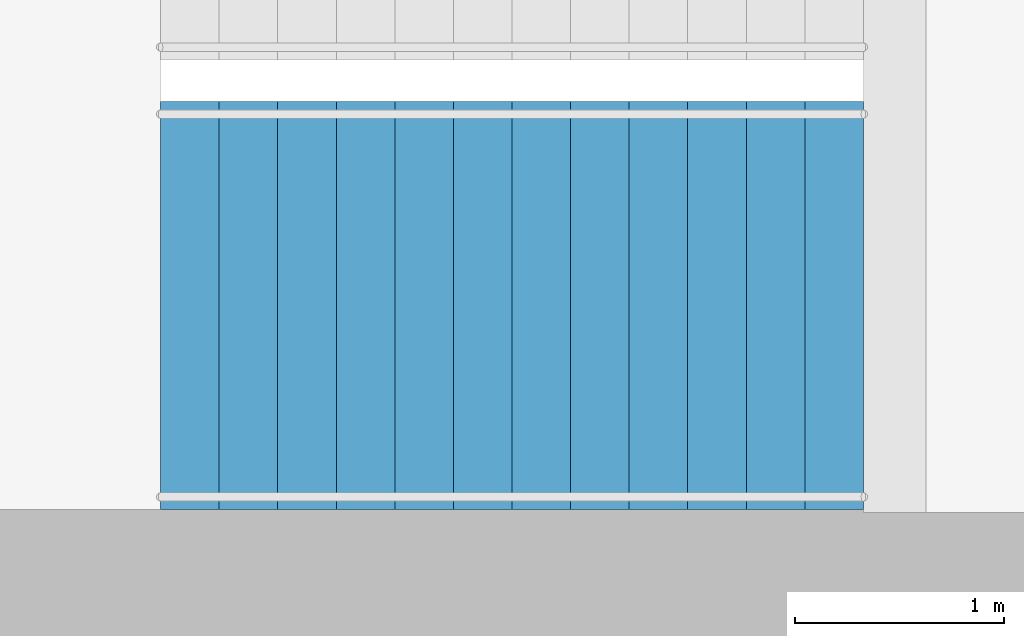
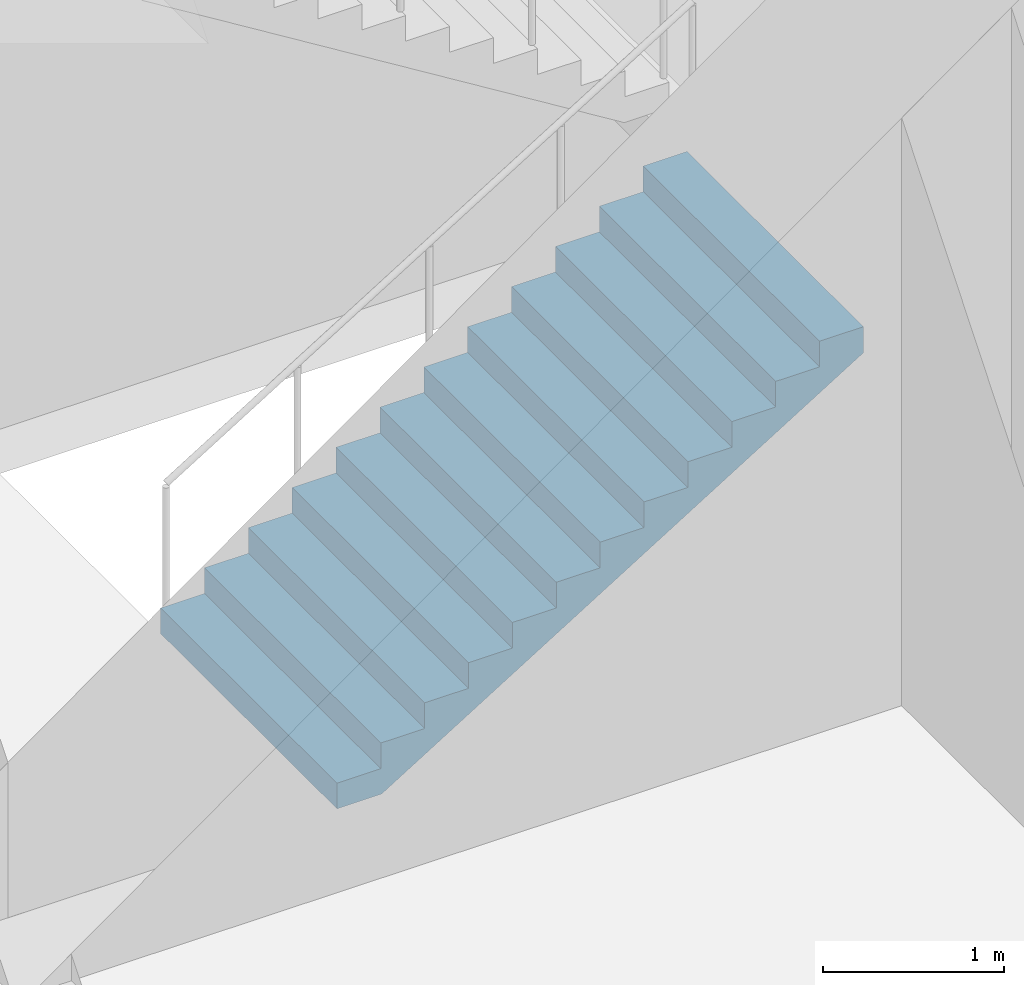
# One storey, part 17 of 21: 1 stair flight, 1 element without a shape of its own.
"""IFC4 building model written with IfcOpenShell, lengths in metres."""

from ifc_helpers import new_model, si_unit, direction, frame, origin, place, context, subcontext, project, spatial, triangles, material, type_object, element, aggregate, save


model = new_model("IFC4")

# Units and contexts
model_context = context("Model", 3, precision=1e-05, world=origin(), true_north=direction((0.0, 1.0)))
body_context = subcontext(model_context, "Body", "Model", "MODEL_VIEW")
ifc_project = project(units=[si_unit("LENGTHUNIT", "METRE"), si_unit("AREAUNIT", "SQUARE_METRE"), si_unit("VOLUMEUNIT", "CUBIC_METRE"), si_unit("PLANEANGLEUNIT", "RADIAN"), si_unit("MASSUNIT", "GRAM", prefix="KILO")], contexts=[model_context])

# Site, building, storey
site_placement = place(None, origin())
site = spatial("IfcSite", under=ifc_project, at=site_placement, CompositionType="ELEMENT")
building_placement = place(site_placement, origin())
building = spatial("IfcBuilding", under=site, at=building_placement, Name="Orbita Commons", CompositionType="ELEMENT")
storey_placement = place(building_placement, frame((0.0, 0.0, 257.800048828125)))
storey = spatial("IfcBuildingStorey", under=building, at=storey_placement, Name="L64", CompositionType="ELEMENT", Elevation=257.800048828125)

# Stair, stair flight
ifc_material_1 = material(Name="Precast concrete C40/50", Category="concrete")
stair_type = type_object("IfcStairType", Name="Exit stair S1 2 flights 13 risers 173", PredefinedType="HALF_TURN_STAIR", material=ifc_material_1)
stair_placement = place(storey_placement, origin())
stair = element("IfcStair", 1, at=stair_placement, inside=storey, type_object=stair_type, Name="Exit stair S1 L64", PredefinedType="HALF_TURN_STAIR")
ifc_material_2 = material(Name="Precast concrete C40/50", Category="concrete")
stair_flight_type = type_object("IfcStairFlightType", Name="Stair flight 13 risers 173 x 280", PredefinedType="STRAIGHT", material=ifc_material_2)
stair_flight_placement = place(storey_placement, frame((20.449951171875, 27.125, 0.0), z_axis=(0.0, 0.0, 1.0), x_axis=(1.0, 0.0, 0.0)))
stair_flight = element("IfcStairFlight", 2, at=stair_flight_placement, type_object=stair_flight_type, Name="S1 flight 1", NumberOfRisers=13, NumberOfTreads=12, PredefinedType="STRAIGHT", RiserHeight=0.173076923, TreadLength=0.28, context=body_context, shape_type="Tessellation", body=[
    triangles([(0.0, 0.974976, 0.0), (0.0, 0.974976, 0.021635), (0.0, 0.81248, 0.021635), (0.0, 0.81248, 0.0), (0.0, 0.649984, 0.021635), (0.0, 0.649984, 0.0), (0.0, 0.487488, 0.021635), (0.0, 0.487488, 0.0), (0.0, 0.324992, 0.021635), (0.0, 0.324992, 0.0), (0.0, 0.162496, 0.021635), (0.0, 0.162496, 0.0), (0.0, 0.0, 0.021635), (0.0, 0.0, 0.0), (0.0, -0.162496, 0.021635), (0.0, -0.162496, 0.0), (0.0, -0.324992, 0.021635), (0.0, -0.324992, 0.0), (0.0, -0.487488, 0.021635), (0.0, -0.487488, 0.0), (0.0, -0.649984, 0.021635), (0.0, -0.649984, 0.0), (0.0, -0.81248, 0.021635), (0.0, -0.81248, 0.0), (0.0, -0.974976, 0.021635), (0.0, -0.974976, 0.0), (0.0, 0.974976, 0.043269), (0.0, 0.81248, 0.043269), (0.0, 0.649984, 0.043269), (0.0, 0.487488, 0.043269), (0.0, 0.324992, 0.043269), (0.0, 0.162496, 0.043269), (0.0, 0.0, 0.043269), (0.0, -0.162496, 0.043269), (0.0, -0.324992, 0.043269), (0.0, -0.487488, 0.043269), (0.0, -0.649984, 0.043269), (0.0, -0.81248, 0.043269), (0.0, -0.974976, 0.043269), (0.0, 0.974976, 0.064904), (0.0, 0.81248, 0.064904), (0.0, 0.649984, 0.064904), (0.0, 0.487488, 0.064904), (0.0, 0.324992, 0.064904), (0.0, 0.162496, 0.064904), (0.0, 0.0, 0.064904), (0.0, -0.162496, 0.064904), (0.0, -0.324992, 0.064904), (0.0, -0.487488, 0.064904), (0.0, -0.649984, 0.064904), (0.0, -0.81248, 0.064904), (0.0, -0.974976, 0.064904), (0.0, 0.974976, 0.086538), (0.0, 0.81248, 0.086538), (0.0, 0.649984, 0.086538), (0.0, 0.487488, 0.086538), (0.0, 0.324992, 0.086538), (0.0, 0.162496, 0.086538), (0.0, 0.0, 0.086538), (0.0, -0.162496, 0.086538), (0.0, -0.324992, 0.086538), (0.0, -0.487488, 0.086538), (0.0, -0.649984, 0.086538), (0.0, -0.81248, 0.086538), (0.0, -0.974976, 0.086538), (0.0, 0.974976, 0.108173), (0.0, 0.81248, 0.108173), (0.0, 0.649984, 0.108173), (0.0, 0.487488, 0.108173), (0.0, 0.324992, 0.108173), (0.0, 0.162496, 0.108173), (0.0, 0.0, 0.108173), (0.0, -0.162496, 0.108173), (0.0, -0.324992, 0.108173), (0.0, -0.487488, 0.108173), (0.0, -0.649984, 0.108173), (0.0, -0.81248, 0.108173), (0.0, -0.974976, 0.108173), (0.0, 0.974976, 0.129808), (0.0, 0.81248, 0.129808), (0.0, 0.649984, 0.129808), (0.0, 0.487488, 0.129808), (0.0, 0.324992, 0.129808), (0.0, 0.162496, 0.129808), (0.0, 0.0, 0.129808), (0.0, -0.162496, 0.129808), (0.0, -0.324992, 0.129808), (0.0, -0.487488, 0.129808), (0.0, -0.649984, 0.129808), (0.0, -0.81248, 0.129808), (0.0, -0.974976, 0.129808), (0.0, 0.974976, 0.151442), (0.0, 0.81248, 0.151442), (0.0, 0.649984, 0.151442), (0.0, 0.487488, 0.151442), (0.0, 0.324992, 0.151442), (0.0, 0.162496, 0.151442), (0.0, 0.0, 0.151442), (0.0, -0.162496, 0.151442), (0.0, -0.324992, 0.151442), (0.0, -0.487488, 0.151442), (0.0, -0.649984, 0.151442), (0.0, -0.81248, 0.151442), (0.0, -0.974976, 0.151442), (0.0, 0.974976, 0.173077), (0.0, 0.81248, 0.173077), (0.0, 0.649984, 0.173077), (0.0, 0.487488, 0.173077), (0.0, 0.324992, 0.173077), (0.0, 0.162496, 0.173077), (0.0, 0.0, 0.173077), (0.0, -0.162496, 0.173077), (0.0, -0.324992, 0.173077), (0.0, -0.487488, 0.173077), (0.0, -0.649984, 0.173077), (0.0, -0.81248, 0.173077), (0.0, -0.974976, 0.173077), (0.28, 0.974976, 0.173077), (0.28, 0.81248, 0.173077), (0.28, 0.649984, 0.173077), (0.28, 0.487488, 0.173077), (0.28, 0.324992, 0.173077), (0.28, 0.162496, 0.173077), (0.28, 0.0, 0.173077), (0.28, -0.162496, 0.173077), (0.28, -0.324992, 0.173077), (0.28, -0.487488, 0.173077), (0.28, -0.649984, 0.173077), (0.28, -0.81248, 0.173077), (0.28, -0.974976, 0.173077), (0.28, 0.974976, 0.346154), (0.28, 0.81248, 0.346154), (0.28, 0.649984, 0.346154), (0.28, 0.487488, 0.346154), (0.28, 0.324992, 0.346154), (0.28, 0.162496, 0.346154), (0.28, 0.0, 0.346154), (0.28, -0.162496, 0.346154), (0.28, -0.324992, 0.346154), (0.28, -0.487488, 0.346154), (0.28, -0.649984, 0.346154), (0.28, -0.81248, 0.346154), (0.28, -0.974976, 0.346154), (0.56, 0.974976, 0.346154), (0.56, 0.81248, 0.346154), (0.56, 0.649984, 0.346154), (0.56, 0.487488, 0.346154), (0.56, 0.324992, 0.346154), (0.56, 0.162496, 0.346154), (0.56, 0.0, 0.346154), (0.56, -0.162496, 0.346154), (0.56, -0.324992, 0.346154), (0.56, -0.487488, 0.346154), (0.56, -0.649984, 0.346154), (0.56, -0.81248, 0.346154), (0.56, -0.974976, 0.346154), (0.56, 0.974976, 0.519231), (0.56, 0.81248, 0.519231), (0.56, 0.649984, 0.519231), (0.56, 0.487488, 0.519231), (0.56, 0.324992, 0.519231), (0.56, 0.162496, 0.519231), (0.56, 0.0, 0.519231), (0.56, -0.162496, 0.519231), (0.56, -0.324992, 0.519231), (0.56, -0.487488, 0.519231), (0.56, -0.649984, 0.519231), (0.56, -0.81248, 0.519231), (0.56, -0.974976, 0.519231), (0.84, 0.974976, 0.519231), (0.84, 0.81248, 0.519231), (0.84, 0.649984, 0.519231), (0.84, 0.487488, 0.519231), (0.84, 0.324992, 0.519231), (0.84, 0.162496, 0.519231), (0.84, 0.0, 0.519231), (0.84, -0.162496, 0.519231), (0.84, -0.324992, 0.519231), (0.84, -0.487488, 0.519231), (0.84, -0.649984, 0.519231), (0.84, -0.81248, 0.519231), (0.84, -0.974976, 0.519231), (0.84, 0.974976, 0.692308), (0.84, 0.81248, 0.692308), (0.84, 0.649984, 0.692308), (0.84, 0.487488, 0.692308), (0.84, 0.324992, 0.692308), (0.84, 0.162496, 0.692308), (0.84, 0.0, 0.692308), (0.84, -0.162496, 0.692308), (0.84, -0.324992, 0.692308), (0.84, -0.487488, 0.692308), (0.84, -0.649984, 0.692308), (0.84, -0.81248, 0.692308), (0.84, -0.974976, 0.692308), (1.12, 0.974976, 0.692308), (1.12, 0.81248, 0.692308), (1.12, 0.649984, 0.692308), (1.12, 0.487488, 0.692308), (1.12, 0.324992, 0.692308), (1.12, 0.162496, 0.692308), (1.12, 0.0, 0.692308), (1.12, -0.162496, 0.692308), (1.12, -0.324992, 0.692308), (1.12, -0.487488, 0.692308), (1.12, -0.649984, 0.692308), (1.12, -0.81248, 0.692308), (1.12, -0.974976, 0.692308), (1.12, 0.974976, 0.865385), (1.12, 0.81248, 0.865385), (1.12, 0.649984, 0.865385), (1.12, 0.487488, 0.865385), (1.12, 0.324992, 0.865385), (1.12, 0.162496, 0.865385), (1.12, 0.0, 0.865385), (1.12, -0.162496, 0.865385), (1.12, -0.324992, 0.865385), (1.12, -0.487488, 0.865385), (1.12, -0.649984, 0.865385), (1.12, -0.81248, 0.865385), (1.12, -0.974976, 0.865385), (1.4, 0.974976, 0.865385), (1.4, 0.81248, 0.865385), (1.4, 0.649984, 0.865385), (1.4, 0.487488, 0.865385), (1.4, 0.324992, 0.865385), (1.4, 0.162496, 0.865385), (1.4, 0.0, 0.865385), (1.4, -0.162496, 0.865385), (1.4, -0.324992, 0.865385), (1.4, -0.487488, 0.865385), (1.4, -0.649984, 0.865385), (1.4, -0.81248, 0.865385), (1.4, -0.974976, 0.865385), (1.4, 0.974976, 1.038462), (1.4, 0.81248, 1.038462), (1.4, 0.649984, 1.038462), (1.4, 0.487488, 1.038462), (1.4, 0.324992, 1.038462), (1.4, 0.162496, 1.038462), (1.4, 0.0, 1.038462), (1.4, -0.162496, 1.038462), (1.4, -0.324992, 1.038462), (1.4, -0.487488, 1.038462), (1.4, -0.649984, 1.038462), (1.4, -0.81248, 1.038462), (1.4, -0.974976, 1.038462), (1.68, 0.974976, 1.038462), (1.68, 0.81248, 1.038462), (1.68, 0.649984, 1.038462), (1.68, 0.487488, 1.038462), (1.68, 0.324992, 1.038462), (1.68, 0.162496, 1.038462), (1.68, 0.0, 1.038462), (1.68, -0.162496, 1.038462), (1.68, -0.324992, 1.038462), (1.68, -0.487488, 1.038462), (1.68, -0.649984, 1.038462), (1.68, -0.81248, 1.038462), (1.68, -0.974976, 1.038462), (1.68, 0.974976, 1.211538), (1.68, 0.81248, 1.211538), (1.68, 0.649984, 1.211538), (1.68, 0.487488, 1.211538), (1.68, 0.324992, 1.211538), (1.68, 0.162496, 1.211538), (1.68, 0.0, 1.211538), (1.68, -0.162496, 1.211538), (1.68, -0.324992, 1.211538), (1.68, -0.487488, 1.211538), (1.68, -0.649984, 1.211538), (1.68, -0.81248, 1.211538), (1.68, -0.974976, 1.211538), (1.96, 0.974976, 1.211538), (1.96, 0.81248, 1.211538), (1.96, 0.649984, 1.211538), (1.96, 0.487488, 1.211538), (1.96, 0.324992, 1.211538), (1.96, 0.162496, 1.211538), (1.96, 0.0, 1.211538), (1.96, -0.162496, 1.211538), (1.96, -0.324992, 1.211538), (1.96, -0.487488, 1.211538), (1.96, -0.649984, 1.211538), (1.96, -0.81248, 1.211538), (1.96, -0.974976, 1.211538), (1.96, 0.974976, 1.384615), (1.96, 0.81248, 1.384615), (1.96, 0.649984, 1.384615), (1.96, 0.487488, 1.384615), (1.96, 0.324992, 1.384615), (1.96, 0.162496, 1.384615), (1.96, 0.0, 1.384615), (1.96, -0.162496, 1.384615), (1.96, -0.324992, 1.384615), (1.96, -0.487488, 1.384615), (1.96, -0.649984, 1.384615), (1.96, -0.81248, 1.384615), (1.96, -0.974976, 1.384615), (2.24, 0.974976, 1.384615), (2.24, 0.81248, 1.384615), (2.24, 0.649984, 1.384615), (2.24, 0.487488, 1.384615), (2.24, 0.324992, 1.384615), (2.24, 0.162496, 1.384615), (2.24, 0.0, 1.384615), (2.24, -0.162496, 1.384615), (2.24, -0.324992, 1.384615), (2.24, -0.487488, 1.384615), (2.24, -0.649984, 1.384615), (2.24, -0.81248, 1.384615), (2.24, -0.974976, 1.384615), (2.24, 0.974976, 1.557692), (2.24, 0.81248, 1.557692), (2.24, 0.649984, 1.557692), (2.24, 0.487488, 1.557692), (2.24, 0.324992, 1.557692), (2.24, 0.162496, 1.557692), (2.24, 0.0, 1.557692), (2.24, -0.162496, 1.557692), (2.24, -0.324992, 1.557692), (2.24, -0.487488, 1.557692), (2.24, -0.649984, 1.557692), (2.24, -0.81248, 1.557692), (2.24, -0.974976, 1.557692), (2.52, 0.974976, 1.557692), (2.52, 0.81248, 1.557692), (2.52, 0.649984, 1.557692), (2.52, 0.487488, 1.557692), (2.52, 0.324992, 1.557692), (2.52, 0.162496, 1.557692), (2.52, 0.0, 1.557692), (2.52, -0.162496, 1.557692), (2.52, -0.324992, 1.557692), (2.52, -0.487488, 1.557692), (2.52, -0.649984, 1.557692), (2.52, -0.81248, 1.557692), (2.52, -0.974976, 1.557692), (2.52, 0.974976, 1.730769), (2.52, 0.81248, 1.730769), (2.52, 0.649984, 1.730769), (2.52, 0.487488, 1.730769), (2.52, 0.324992, 1.730769), (2.52, 0.162496, 1.730769), (2.52, 0.0, 1.730769), (2.52, -0.162496, 1.730769), (2.52, -0.324992, 1.730769), (2.52, -0.487488, 1.730769), (2.52, -0.649984, 1.730769), (2.52, -0.81248, 1.730769), (2.52, -0.974976, 1.730769), (2.8, 0.974976, 1.730769), (2.8, 0.81248, 1.730769), (2.8, 0.649984, 1.730769), (2.8, 0.487488, 1.730769), (2.8, 0.324992, 1.730769), (2.8, 0.162496, 1.730769), (2.8, 0.0, 1.730769), (2.8, -0.162496, 1.730769), (2.8, -0.324992, 1.730769), (2.8, -0.487488, 1.730769), (2.8, -0.649984, 1.730769), (2.8, -0.81248, 1.730769), (2.8, -0.974976, 1.730769), (2.8, 0.974976, 1.903846), (2.8, 0.81248, 1.903846), (2.8, 0.649984, 1.903846), (2.8, 0.487488, 1.903846), (2.8, 0.324992, 1.903846), (2.8, 0.162496, 1.903846), (2.8, 0.0, 1.903846), (2.8, -0.162496, 1.903846), (2.8, -0.324992, 1.903846), (2.8, -0.487488, 1.903846), (2.8, -0.649984, 1.903846), (2.8, -0.81248, 1.903846), (2.8, -0.974976, 1.903846), (3.08, 0.974976, 1.903846), (3.08, 0.81248, 1.903846), (3.08, 0.649984, 1.903846), (3.08, 0.487488, 1.903846), (3.08, 0.324992, 1.903846), (3.08, 0.162496, 1.903846), (3.08, 0.0, 1.903846), (3.08, -0.162496, 1.903846), (3.08, -0.324992, 1.903846), (3.08, -0.487488, 1.903846), (3.08, -0.649984, 1.903846), (3.08, -0.81248, 1.903846), (3.08, -0.974976, 1.903846), (3.08, 0.974976, 2.076923), (3.08, 0.81248, 2.076923), (3.08, 0.649984, 2.076923), (3.08, 0.487488, 2.076923), (3.08, 0.324992, 2.076923), (3.08, 0.162496, 2.076923), (3.08, 0.0, 2.076923), (3.08, -0.162496, 2.076923), (3.08, -0.324992, 2.076923), (3.08, -0.487488, 2.076923), (3.08, -0.649984, 2.076923), (3.08, -0.81248, 2.076923), (3.08, -0.974976, 2.076923), (3.36, 0.974976, 2.076923), (3.36, 0.81248, 2.076923), (3.36, 0.649984, 2.076923), (3.36, 0.487488, 2.076923), (3.36, 0.324992, 2.076923), (3.36, 0.162496, 2.076923), (3.36, 0.0, 2.076923), (3.36, -0.162496, 2.076923), (3.36, -0.324992, 2.076923), (3.36, -0.487488, 2.076923), (3.36, -0.649984, 2.076923), (3.36, -0.81248, 2.076923), (3.36, -0.974976, 2.076923), (3.36, 0.974976, 2.054895), (3.36, 0.81248, 2.054895), (3.36, 0.649984, 2.054895), (3.36, 0.487488, 2.054895), (3.36, 0.324992, 2.054895), (3.36, 0.162496, 2.054895), (3.36, 0.0, 2.054895), (3.36, -0.162496, 2.054895), (3.36, -0.324992, 2.054895), (3.36, -0.487488, 2.054895), (3.36, -0.649984, 2.054895), (3.36, -0.81248, 2.054895), (3.36, -0.974976, 2.054895), (3.36, 0.974976, 2.032866), (3.36, 0.81248, 2.032866), (3.36, 0.649984, 2.032866), (3.36, 0.487488, 2.032866), (3.36, 0.324992, 2.032866), (3.36, 0.162496, 2.032866), (3.36, 0.0, 2.032866), (3.36, -0.162496, 2.032866), (3.36, -0.324992, 2.032866), (3.36, -0.487488, 2.032866), (3.36, -0.649984, 2.032866), (3.36, -0.81248, 2.032866), (3.36, -0.974976, 2.032866), (3.36, 0.974976, 2.010837), (3.36, 0.81248, 2.010837), (3.36, 0.649984, 2.010837), (3.36, 0.487488, 2.010837), (3.36, 0.324992, 2.010837), (3.36, 0.162496, 2.010837), (3.36, 0.0, 2.010837), (3.36, -0.162496, 2.010837), (3.36, -0.324992, 2.010837), (3.36, -0.487488, 2.010837), (3.36, -0.649984, 2.010837), (3.36, -0.81248, 2.010837), (3.36, -0.974976, 2.010837), (3.36, 0.974976, 1.988809), (3.36, 0.81248, 1.988809), (3.36, 0.649984, 1.988809), (3.36, 0.487488, 1.988809), (3.36, 0.324992, 1.988809), (3.36, 0.162496, 1.988809), (3.36, 0.0, 1.988809), (3.36, -0.162496, 1.988809), (3.36, -0.324992, 1.988809), (3.36, -0.487488, 1.988809), (3.36, -0.649984, 1.988809), (3.36, -0.81248, 1.988809), (3.36, -0.974976, 1.988809), (3.36, 0.974976, 1.96678), (3.36, 0.81248, 1.96678), (3.36, 0.649984, 1.96678), (3.36, 0.487488, 1.96678), (3.36, 0.324992, 1.96678), (3.36, 0.162496, 1.96678), (3.36, 0.0, 1.96678), (3.36, -0.162496, 1.96678), (3.36, -0.324992, 1.96678), (3.36, -0.487488, 1.96678), (3.36, -0.649984, 1.96678), (3.36, -0.81248, 1.96678), (3.36, -0.974976, 1.96678), (3.36, 0.974976, 1.944752), (3.36, 0.81248, 1.944752), (3.36, 0.649984, 1.944752), (3.36, 0.487488, 1.944752), (3.36, 0.324992, 1.944752), (3.36, 0.162496, 1.944752), (3.36, 0.0, 1.944752), (3.36, -0.162496, 1.944752), (3.36, -0.324992, 1.944752), (3.36, -0.487488, 1.944752), (3.36, -0.649984, 1.944752), (3.36, -0.81248, 1.944752), (3.36, -0.974976, 1.944752), (3.36, 0.974976, 1.922723), (3.36, 0.81248, 1.922723), (3.36, 0.649984, 1.922723), (3.36, 0.487488, 1.922723), (3.36, 0.324992, 1.922723), (3.36, 0.162496, 1.922723), (3.36, 0.0, 1.922723), (3.36, -0.162496, 1.922723), (3.36, -0.324992, 1.922723), (3.36, -0.487488, 1.922723), (3.36, -0.649984, 1.922723), (3.36, -0.81248, 1.922723), (3.36, -0.974976, 1.922723), (3.36, 0.974976, 1.900695), (3.36, 0.81248, 1.900695), (3.36, 0.649984, 1.900695), (3.36, 0.487488, 1.900695), (3.36, 0.324992, 1.900695), (3.36, 0.162496, 1.900695), (3.36, 0.0, 1.900695), (3.36, -0.162496, 1.900695), (3.36, -0.324992, 1.900695), (3.36, -0.487488, 1.900695), (3.36, -0.649984, 1.900695), (3.36, -0.81248, 1.900695), (3.36, -0.974976, 1.900695), (0.285099, 0.974976, 0.0), (0.285099, 0.81248, 0.0), (0.285099, 0.649984, 0.0), (0.285099, 0.487488, 0.0), (0.285099, 0.324992, 0.0), (0.285099, 0.162496, 0.0), (0.285099, 0.0, 0.0), (0.285099, -0.162496, 0.0), (0.285099, -0.324992, 0.0), (0.285099, -0.487488, 0.0), (0.285099, -0.649984, 0.0), (0.285099, -0.81248, 0.0), (0.285099, -0.974976, 0.0)], [[3, 2, 1], [4, 3, 1], [5, 3, 4], [6, 5, 4], [7, 5, 6], [8, 7, 6], [9, 7, 8], [10, 9, 8], [11, 9, 10], [12, 11, 10], [13, 11, 12], [14, 13, 12], [15, 13, 14], [16, 15, 14], [17, 15, 16], [18, 17, 16], [19, 17, 18], [20, 19, 18], [21, 19, 20], [22, 21, 20], [23, 21, 22], [24, 23, 22], [25, 23, 24], [26, 25, 24], [28, 27, 2], [3, 28, 2], [29, 28, 3], [5, 29, 3], [30, 29, 5], [7, 30, 5], [31, 30, 7], [9, 31, 7], [32, 31, 9], [11, 32, 9], [33, 32, 11], [13, 33, 11], [34, 33, 13], [15, 34, 13], [35, 34, 15], [17, 35, 15], [36, 35, 17], [19, 36, 17], [37, 36, 19], [21, 37, 19], [38, 37, 21], [23, 38, 21], [39, 38, 23], [25, 39, 23], [41, 40, 27], [28, 41, 27], [42, 41, 28], [29, 42, 28], [43, 42, 29], [30, 43, 29], [44, 43, 30], [31, 44, 30], [45, 44, 31], [32, 45, 31], [46, 45, 32], [33, 46, 32], [47, 46, 33], [34, 47, 33], [48, 47, 34], [35, 48, 34], [49, 48, 35], [36, 49, 35], [50, 49, 36], [37, 50, 36], [51, 50, 37], [38, 51, 37], [52, 51, 38], [39, 52, 38], [54, 53, 40], [41, 54, 40], [55, 54, 41], [42, 55, 41], [56, 55, 42], [43, 56, 42], [57, 56, 43], [44, 57, 43], [58, 57, 44], [45, 58, 44], [59, 58, 45], [46, 59, 45], [60, 59, 46], [47, 60, 46], [61, 60, 47], [48, 61, 47], [62, 61, 48], [49, 62, 48], [63, 62, 49], [50, 63, 49], [64, 63, 50], [51, 64, 50], [65, 64, 51], [52, 65, 51], [67, 66, 53], [54, 67, 53], [68, 67, 54], [55, 68, 54], [69, 68, 55], [56, 69, 55], [70, 69, 56], [57, 70, 56], [71, 70, 57], [58, 71, 57], [72, 71, 58], [59, 72, 58], [73, 72, 59], [60, 73, 59], [74, 73, 60], [61, 74, 60], [75, 74, 61], [62, 75, 61], [76, 75, 62], [63, 76, 62], [77, 76, 63], [64, 77, 63], [78, 77, 64], [65, 78, 64], [80, 79, 66], [67, 80, 66], [81, 80, 67], [68, 81, 67], [82, 81, 68], [69, 82, 68], [83, 82, 69], [70, 83, 69], [84, 83, 70], [71, 84, 70], [85, 84, 71], [72, 85, 71], [86, 85, 72], [73, 86, 72], [87, 86, 73], [74, 87, 73], [88, 87, 74], [75, 88, 74], [89, 88, 75], [76, 89, 75], [90, 89, 76], [77, 90, 76], [91, 90, 77], [78, 91, 77], [93, 92, 79], [80, 93, 79], [94, 93, 80], [81, 94, 80], [95, 94, 81], [82, 95, 81], [96, 95, 82], [83, 96, 82], [97, 96, 83], [84, 97, 83], [98, 97, 84], [85, 98, 84], [99, 98, 85], [86, 99, 85], [100, 99, 86], [87, 100, 86], [101, 100, 87], [88, 101, 87], [102, 101, 88], [89, 102, 88], [103, 102, 89], [90, 103, 89], [104, 103, 90], [91, 104, 90], [106, 105, 92], [93, 106, 92], [107, 106, 93], [94, 107, 93], [108, 107, 94], [95, 108, 94], [109, 108, 95], [96, 109, 95], [110, 109, 96], [97, 110, 96], [111, 110, 97], [98, 111, 97], [112, 111, 98], [99, 112, 98], [113, 112, 99], [100, 113, 99], [114, 113, 100], [101, 114, 100], [115, 114, 101], [102, 115, 101], [116, 115, 102], [103, 116, 102], [117, 116, 103], [104, 117, 103], [119, 118, 105], [106, 119, 105], [120, 119, 106], [107, 120, 106], [121, 120, 107], [108, 121, 107], [122, 121, 108], [109, 122, 108], [123, 122, 109], [110, 123, 109], [124, 123, 110], [111, 124, 110], [125, 124, 111], [112, 125, 111], [126, 125, 112], [113, 126, 112], [127, 126, 113], [114, 127, 113], [128, 127, 114], [115, 128, 114], [129, 128, 115], [116, 129, 115], [130, 129, 116], [117, 130, 116], [132, 131, 118], [119, 132, 118], [133, 132, 119], [120, 133, 119], [134, 133, 120], [121, 134, 120], [135, 134, 121], [122, 135, 121], [136, 135, 122], [123, 136, 122], [137, 136, 123], [124, 137, 123], [138, 137, 124], [125, 138, 124], [139, 138, 125], [126, 139, 125], [140, 139, 126], [127, 140, 126], [141, 140, 127], [128, 141, 127], [142, 141, 128], [129, 142, 128], [143, 142, 129], [130, 143, 129], [145, 144, 131], [132, 145, 131], [146, 145, 132], [133, 146, 132], [147, 146, 133], [134, 147, 133], [148, 147, 134], [135, 148, 134], [149, 148, 135], [136, 149, 135], [150, 149, 136], [137, 150, 136], [151, 150, 137], [138, 151, 137], [152, 151, 138], [139, 152, 138], [153, 152, 139], [140, 153, 139], [154, 153, 140], [141, 154, 140], [155, 154, 141], [142, 155, 141], [156, 155, 142], [143, 156, 142], [158, 157, 144], [145, 158, 144], [159, 158, 145], [146, 159, 145], [160, 159, 146], [147, 160, 146], [161, 160, 147], [148, 161, 147], [162, 161, 148], [149, 162, 148], [163, 162, 149], [150, 163, 149], [164, 163, 150], [151, 164, 150], [165, 164, 151], [152, 165, 151], [166, 165, 152], [153, 166, 152], [167, 166, 153], [154, 167, 153], [168, 167, 154], [155, 168, 154], [169, 168, 155], [156, 169, 155], [171, 170, 157], [158, 171, 157], [172, 171, 158], [159, 172, 158], [173, 172, 159], [160, 173, 159], [174, 173, 160], [161, 174, 160], [175, 174, 161], [162, 175, 161], [176, 175, 162], [163, 176, 162], [177, 176, 163], [164, 177, 163], [178, 177, 164], [165, 178, 164], [179, 178, 165], [166, 179, 165], [180, 179, 166], [167, 180, 166], [181, 180, 167], [168, 181, 167], [182, 181, 168], [169, 182, 168], [184, 183, 170], [171, 184, 170], [185, 184, 171], [172, 185, 171], [186, 185, 172], [173, 186, 172], [187, 186, 173], [174, 187, 173], [188, 187, 174], [175, 188, 174], [189, 188, 175], [176, 189, 175], [190, 189, 176], [177, 190, 176], [191, 190, 177], [178, 191, 177], [192, 191, 178], [179, 192, 178], [193, 192, 179], [180, 193, 179], [194, 193, 180], [181, 194, 180], [195, 194, 181], [182, 195, 181], [197, 196, 183], [184, 197, 183], [198, 197, 184], [185, 198, 184], [199, 198, 185], [186, 199, 185], [200, 199, 186], [187, 200, 186], [201, 200, 187], [188, 201, 187], [202, 201, 188], [189, 202, 188], [203, 202, 189], [190, 203, 189], [204, 203, 190], [191, 204, 190], [205, 204, 191], [192, 205, 191], [206, 205, 192], [193, 206, 192], [207, 206, 193], [194, 207, 193], [208, 207, 194], [195, 208, 194], [210, 209, 196], [197, 210, 196], [211, 210, 197], [198, 211, 197], [212, 211, 198], [199, 212, 198], [213, 212, 199], [200, 213, 199], [214, 213, 200], [201, 214, 200], [215, 214, 201], [202, 215, 201], [216, 215, 202], [203, 216, 202], [217, 216, 203], [204, 217, 203], [218, 217, 204], [205, 218, 204], [219, 218, 205], [206, 219, 205], [220, 219, 206], [207, 220, 206], [221, 220, 207], [208, 221, 207], [223, 222, 209], [210, 223, 209], [224, 223, 210], [211, 224, 210], [225, 224, 211], [212, 225, 211], [226, 225, 212], [213, 226, 212], [227, 226, 213], [214, 227, 213], [228, 227, 214], [215, 228, 214], [229, 228, 215], [216, 229, 215], [230, 229, 216], [217, 230, 216], [231, 230, 217], [218, 231, 217], [232, 231, 218], [219, 232, 218], [233, 232, 219], [220, 233, 219], [234, 233, 220], [221, 234, 220], [236, 235, 222], [223, 236, 222], [237, 236, 223], [224, 237, 223], [238, 237, 224], [225, 238, 224], [239, 238, 225], [226, 239, 225], [240, 239, 226], [227, 240, 226], [241, 240, 227], [228, 241, 227], [242, 241, 228], [229, 242, 228], [243, 242, 229], [230, 243, 229], [244, 243, 230], [231, 244, 230], [245, 244, 231], [232, 245, 231], [246, 245, 232], [233, 246, 232], [247, 246, 233], [234, 247, 233], [249, 248, 235], [236, 249, 235], [250, 249, 236], [237, 250, 236], [251, 250, 237], [238, 251, 237], [252, 251, 238], [239, 252, 238], [253, 252, 239], [240, 253, 239], [254, 253, 240], [241, 254, 240], [255, 254, 241], [242, 255, 241], [256, 255, 242], [243, 256, 242], [257, 256, 243], [244, 257, 243], [258, 257, 244], [245, 258, 244], [259, 258, 245], [246, 259, 245], [260, 259, 246], [247, 260, 246], [262, 261, 248], [249, 262, 248], [263, 262, 249], [250, 263, 249], [264, 263, 250], [251, 264, 250], [265, 264, 251], [252, 265, 251], [266, 265, 252], [253, 266, 252], [267, 266, 253], [254, 267, 253], [268, 267, 254], [255, 268, 254], [269, 268, 255], [256, 269, 255], [270, 269, 256], [257, 270, 256], [271, 270, 257], [258, 271, 257], [272, 271, 258], [259, 272, 258], [273, 272, 259], [260, 273, 259], [275, 274, 261], [262, 275, 261], [276, 275, 262], [263, 276, 262], [277, 276, 263], [264, 277, 263], [278, 277, 264], [265, 278, 264], [279, 278, 265], [266, 279, 265], [280, 279, 266], [267, 280, 266], [281, 280, 267], [268, 281, 267], [282, 281, 268], [269, 282, 268], [283, 282, 269], [270, 283, 269], [284, 283, 270], [271, 284, 270], [285, 284, 271], [272, 285, 271], [286, 285, 272], [273, 286, 272], [288, 287, 274], [275, 288, 274], [289, 288, 275], [276, 289, 275], [290, 289, 276], [277, 290, 276], [291, 290, 277], [278, 291, 277], [292, 291, 278], [279, 292, 278], [293, 292, 279], [280, 293, 279], [294, 293, 280], [281, 294, 280], [295, 294, 281], [282, 295, 281], [296, 295, 282], [283, 296, 282], [297, 296, 283], [284, 297, 283], [298, 297, 284], [285, 298, 284], [299, 298, 285], [286, 299, 285], [301, 300, 287], [288, 301, 287], [302, 301, 288], [289, 302, 288], [303, 302, 289], [290, 303, 289], [304, 303, 290], [291, 304, 290], [305, 304, 291], [292, 305, 291], [306, 305, 292], [293, 306, 292], [307, 306, 293], [294, 307, 293], [308, 307, 294], [295, 308, 294], [309, 308, 295], [296, 309, 295], [310, 309, 296], [297, 310, 296], [311, 310, 297], [298, 311, 297], [312, 311, 298], [299, 312, 298], [314, 313, 300], [301, 314, 300], [315, 314, 301], [302, 315, 301], [316, 315, 302], [303, 316, 302], [317, 316, 303], [304, 317, 303], [318, 317, 304], [305, 318, 304], [319, 318, 305], [306, 319, 305], [320, 319, 306], [307, 320, 306], [321, 320, 307], [308, 321, 307], [322, 321, 308], [309, 322, 308], [323, 322, 309], [310, 323, 309], [324, 323, 310], [311, 324, 310], [325, 324, 311], [312, 325, 311], [327, 326, 313], [314, 327, 313], [328, 327, 314], [315, 328, 314], [329, 328, 315], [316, 329, 315], [330, 329, 316], [317, 330, 316], [331, 330, 317], [318, 331, 317], [332, 331, 318], [319, 332, 318], [333, 332, 319], [320, 333, 319], [334, 333, 320], [321, 334, 320], [335, 334, 321], [322, 335, 321], [336, 335, 322], [323, 336, 322], [337, 336, 323], [324, 337, 323], [338, 337, 324], [325, 338, 324], [340, 339, 326], [327, 340, 326], [341, 340, 327], [328, 341, 327], [342, 341, 328], [329, 342, 328], [343, 342, 329], [330, 343, 329], [344, 343, 330], [331, 344, 330], [345, 344, 331], [332, 345, 331], [346, 345, 332], [333, 346, 332], [347, 346, 333], [334, 347, 333], [348, 347, 334], [335, 348, 334], [349, 348, 335], [336, 349, 335], [350, 349, 336], [337, 350, 336], [351, 350, 337], [338, 351, 337], [353, 352, 339], [340, 353, 339], [354, 353, 340], [341, 354, 340], [355, 354, 341], [342, 355, 341], [356, 355, 342], [343, 356, 342], [357, 356, 343], [344, 357, 343], [358, 357, 344], [345, 358, 344], [359, 358, 345], [346, 359, 345], [360, 359, 346], [347, 360, 346], [361, 360, 347], [348, 361, 347], [362, 361, 348], [349, 362, 348], [363, 362, 349], [350, 363, 349], [364, 363, 350], [351, 364, 350], [366, 365, 352], [353, 366, 352], [367, 366, 353], [354, 367, 353], [368, 367, 354], [355, 368, 354], [369, 368, 355], [356, 369, 355], [370, 369, 356], [357, 370, 356], [371, 370, 357], [358, 371, 357], [372, 371, 358], [359, 372, 358], [373, 372, 359], [360, 373, 359], [374, 373, 360], [361, 374, 360], [375, 374, 361], [362, 375, 361], [376, 375, 362], [363, 376, 362], [377, 376, 363], [364, 377, 363], [379, 378, 365], [366, 379, 365], [380, 379, 366], [367, 380, 366], [381, 380, 367], [368, 381, 367], [382, 381, 368], [369, 382, 368], [383, 382, 369], [370, 383, 369], [384, 383, 370], [371, 384, 370], [385, 384, 371], [372, 385, 371], [386, 385, 372], [373, 386, 372], [387, 386, 373], [374, 387, 373], [388, 387, 374], [375, 388, 374], [389, 388, 375], [376, 389, 375], [390, 389, 376], [377, 390, 376], [392, 391, 378], [379, 392, 378], [393, 392, 379], [380, 393, 379], [394, 393, 380], [381, 394, 380], [395, 394, 381], [382, 395, 381], [396, 395, 382], [383, 396, 382], [397, 396, 383], [384, 397, 383], [398, 397, 384], [385, 398, 384], [399, 398, 385], [386, 399, 385], [400, 399, 386], [387, 400, 386], [401, 400, 387], [388, 401, 387], [402, 401, 388], [389, 402, 388], [403, 402, 389], [390, 403, 389], [405, 404, 391], [392, 405, 391], [406, 405, 392], [393, 406, 392], [407, 406, 393], [394, 407, 393], [408, 407, 394], [395, 408, 394], [409, 408, 395], [396, 409, 395], [410, 409, 396], [397, 410, 396], [411, 410, 397], [398, 411, 397], [412, 411, 398], [399, 412, 398], [413, 412, 399], [400, 413, 399], [414, 413, 400], [401, 414, 400], [415, 414, 401], [402, 415, 401], [416, 415, 402], [403, 416, 402], [418, 417, 404], [405, 418, 404], [419, 418, 405], [406, 419, 405], [420, 419, 406], [407, 420, 406], [421, 420, 407], [408, 421, 407], [422, 421, 408], [409, 422, 408], [423, 422, 409], [410, 423, 409], [424, 423, 410], [411, 424, 410], [425, 424, 411], [412, 425, 411], [426, 425, 412], [413, 426, 412], [427, 426, 413], [414, 427, 413], [428, 427, 414], [415, 428, 414], [429, 428, 415], [416, 429, 415], [431, 430, 417], [418, 431, 417], [432, 431, 418], [419, 432, 418], [433, 432, 419], [420, 433, 419], [434, 433, 420], [421, 434, 420], [435, 434, 421], [422, 435, 421], [436, 435, 422], [423, 436, 422], [437, 436, 423], [424, 437, 423], [438, 437, 424], [425, 438, 424], [439, 438, 425], [426, 439, 425], [440, 439, 426], [427, 440, 426], [441, 440, 427], [428, 441, 427], [442, 441, 428], [429, 442, 428], [444, 443, 430], [431, 444, 430], [445, 444, 431], [432, 445, 431], [446, 445, 432], [433, 446, 432], [447, 446, 433], [434, 447, 433], [448, 447, 434], [435, 448, 434], [449, 448, 435], [436, 449, 435], [450, 449, 436], [437, 450, 436], [451, 450, 437], [438, 451, 437], [452, 451, 438], [439, 452, 438], [453, 452, 439], [440, 453, 439], [454, 453, 440], [441, 454, 440], [455, 454, 441], [442, 455, 441], [457, 456, 443], [444, 457, 443], [458, 457, 444], [445, 458, 444], [459, 458, 445], [446, 459, 445], [460, 459, 446], [447, 460, 446], [461, 460, 447], [448, 461, 447], [462, 461, 448], [449, 462, 448], [463, 462, 449], [450, 463, 449], [464, 463, 450], [451, 464, 450], [465, 464, 451], [452, 465, 451], [466, 465, 452], [453, 466, 452], [467, 466, 453], [454, 467, 453], [468, 467, 454], [455, 468, 454], [470, 469, 456], [457, 470, 456], [471, 470, 457], [458, 471, 457], [472, 471, 458], [459, 472, 458], [473, 472, 459], [460, 473, 459], [474, 473, 460], [461, 474, 460], [475, 474, 461], [462, 475, 461], [476, 475, 462], [463, 476, 462], [477, 476, 463], [464, 477, 463], [478, 477, 464], [465, 478, 464], [479, 478, 465], [466, 479, 465], [480, 479, 466], [467, 480, 466], [481, 480, 467], [468, 481, 467], [483, 482, 469], [470, 483, 469], [484, 483, 470], [471, 484, 470], [485, 484, 471], [472, 485, 471], [486, 485, 472], [473, 486, 472], [487, 486, 473], [474, 487, 473], [488, 487, 474], [475, 488, 474], [489, 488, 475], [476, 489, 475], [490, 489, 476], [477, 490, 476], [491, 490, 477], [478, 491, 477], [492, 491, 478], [479, 492, 478], [493, 492, 479], [480, 493, 479], [494, 493, 480], [481, 494, 480], [496, 495, 482], [483, 496, 482], [497, 496, 483], [484, 497, 483], [498, 497, 484], [485, 498, 484], [499, 498, 485], [486, 499, 485], [500, 499, 486], [487, 500, 486], [501, 500, 487], [488, 501, 487], [502, 501, 488], [489, 502, 488], [503, 502, 489], [490, 503, 489], [504, 503, 490], [491, 504, 490], [505, 504, 491], [492, 505, 491], [506, 505, 492], [493, 506, 492], [507, 506, 493], [494, 507, 493], [509, 508, 495], [496, 509, 495], [510, 509, 496], [497, 510, 496], [511, 510, 497], [498, 511, 497], [512, 511, 498], [499, 512, 498], [513, 512, 499], [500, 513, 499], [514, 513, 500], [501, 514, 500], [515, 514, 501], [502, 515, 501], [516, 515, 502], [503, 516, 502], [517, 516, 503], [504, 517, 503], [518, 517, 504], [505, 518, 504], [519, 518, 505], [506, 519, 505], [520, 519, 506], [507, 520, 506], [522, 521, 508], [509, 522, 508], [523, 522, 509], [510, 523, 509], [524, 523, 510], [511, 524, 510], [525, 524, 511], [512, 525, 511], [526, 525, 512], [513, 526, 512], [527, 526, 513], [514, 527, 513], [528, 527, 514], [515, 528, 514], [529, 528, 515], [516, 529, 515], [530, 529, 516], [517, 530, 516], [531, 530, 517], [518, 531, 517], [532, 531, 518], [519, 532, 518], [533, 532, 519], [520, 533, 519], [4, 1, 521], [522, 4, 521], [6, 4, 522], [523, 6, 522], [8, 6, 523], [524, 8, 523], [10, 8, 524], [525, 10, 524], [12, 10, 525], [526, 12, 525], [14, 12, 526], [527, 14, 526], [16, 14, 527], [528, 16, 527], [18, 16, 528], [529, 18, 528], [20, 18, 529], [530, 20, 529], [22, 20, 530], [531, 22, 530], [24, 22, 531], [532, 24, 531], [26, 24, 532], [533, 26, 532], [508, 521, 1], [26, 533, 520], [495, 508, 1], [26, 520, 507], [482, 495, 1], [26, 507, 494], [469, 482, 1], [26, 494, 481], [456, 469, 1], [26, 481, 468], [443, 456, 1], [26, 468, 455], [430, 443, 1], [26, 455, 442], [417, 430, 1], [26, 442, 429], [391, 404, 417], [429, 416, 403], [378, 391, 417], [429, 403, 390], [352, 365, 378], [390, 377, 364], [352, 378, 417], [429, 390, 364], [326, 339, 352], [364, 351, 338], [326, 352, 417], [429, 364, 338], [300, 313, 326], [338, 325, 312], [300, 326, 417], [429, 338, 312], [274, 287, 300], [312, 299, 286], [274, 300, 417], [429, 312, 286], [248, 261, 274], [286, 273, 260], [248, 274, 417], [429, 286, 260], [222, 235, 248], [260, 247, 234], [222, 248, 417], [429, 260, 234], [196, 209, 222], [234, 221, 208], [196, 222, 417], [429, 234, 208], [170, 183, 196], [208, 195, 182], [170, 196, 417], [429, 208, 182], [144, 157, 170], [182, 169, 156], [144, 170, 417], [429, 182, 156], [118, 131, 144], [156, 143, 130], [118, 144, 417], [429, 156, 130], [118, 417, 1], [26, 429, 130], [92, 105, 118], [130, 117, 104], [79, 92, 118], [130, 104, 91], [66, 79, 118], [130, 91, 78], [53, 66, 118], [130, 78, 65], [40, 53, 118], [130, 65, 52], [27, 40, 118], [130, 52, 39], [2, 27, 118], [130, 39, 25], [1, 2, 118], [130, 25, 26]], closed=True),
])
aggregate(stair, [stair_flight])

save(model, "model.ifc")
